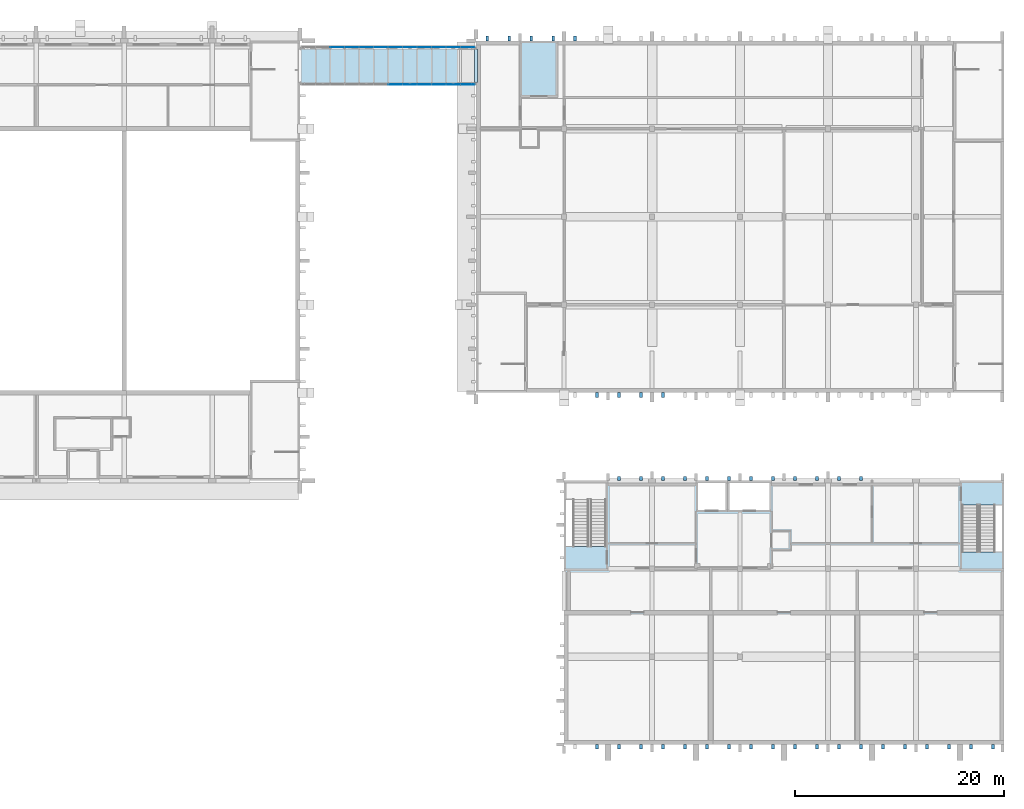
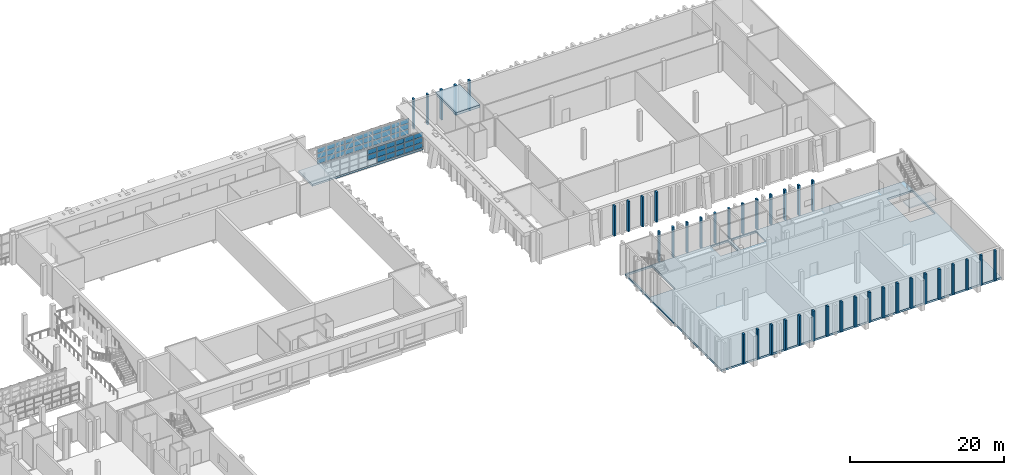
# One storey, part 36 of 86: 88 plates, 4 slabs, 3 elements without a shape of their own.
"""IFC4 building model written with IfcOpenShell, lengths in metres."""

from ifc_helpers import new_model, si_unit, direction, frame, origin, origin_2d, place, context, subcontext, project, spatial, polyline, rectangle, outline, extrude, material, layer, layer_set, type_object, element, aggregate, save


model = new_model("IFC4")

# Units and contexts
model_context = context("Model", 3, precision=1e-05, world=origin(), true_north=direction((0.0, 1.0)))
body_context = subcontext(model_context, "Body", "Model", "MODEL_VIEW")
ifc_project = project(units=[si_unit("LENGTHUNIT", "METRE"), si_unit("AREAUNIT", "SQUARE_METRE"), si_unit("VOLUMEUNIT", "CUBIC_METRE"), si_unit("PLANEANGLEUNIT", "RADIAN"), si_unit("MASSUNIT", "GRAM", prefix="KILO")], contexts=[model_context])

# Site, building, storey
site_placement = place(None, origin())
site = spatial("IfcSite", under=ifc_project, at=site_placement, CompositionType="ELEMENT")
building_placement = place(site_placement, origin())
building = spatial("IfcBuilding", under=site, at=building_placement, Name="Kiln Court Media Centre", CompositionType="ELEMENT")
storey_placement = place(building_placement, frame((0.0, 0.0, 10.199951171875)))
storey = spatial("IfcBuildingStorey", under=building, at=storey_placement, Name="L02", CompositionType="ELEMENT", Elevation=10.199951171875)

# Slabs
ifc_material_1 = material(Name="Concrete C30/37", Category="concrete")
ifc_layer_1 = layer(ifc_material_1, 0.300048828125)
ifc_layer_set_1 = layer_set([ifc_layer_1], Name="Concrete C30/37 bridge deck slab 300")
slab_type_1 = type_object("IfcSlabType", Name="Concrete C30/37 bridge deck slab 300", PredefinedType="FLOOR", material=ifc_layer_set_1)
slab_1_placement = place(storey_placement, frame((0.0, 0.0, -0.300048828125)))
element("IfcSlab", 1, at=slab_1_placement, inside=storey, type_object=slab_type_1, Name="bridge BR-4 deck bridge deck slab", PredefinedType="FLOOR", context=body_context, shape_type="SweptSolid", body=[
    extrude(outline(polyline([(100.89990234375, 63.0), (117.5, 63.0), (117.5, 66.60009765625), (100.89990234375, 66.60009765625), (100.89990234375, 63.0)])), origin(), (0.0, 0.0, 1.0), 0.300048828125),
])
ifc_material_2 = material(Name="Concrete C30/37", Category="concrete")
ifc_layer_2 = layer(ifc_material_2, 0.300048828125)
ifc_layer_set_2 = layer_set([ifc_layer_2], Name="Concrete C30/37 floor slab 300")
slab_type_2 = type_object("IfcSlabType", Name="Concrete C30/37 floor slab 300", PredefinedType="FLOOR", material=ifc_layer_set_2)
slab_2_placement = place(storey_placement, frame((0.0, 0.0, -0.300048828125)))
element("IfcSlab", 2, at=slab_2_placement, inside=storey, type_object=slab_type_2, Name="L02-SL-1007", PredefinedType="FLOOR", context=body_context, shape_type="SweptSolid", body=[
    extrude(outline(polyline([(126.0, 0.0), (126.0, 25.199951171875), (168.0, 25.199951171875), (168.0, 0.0), (126.0, 0.0)]), holes=[polyline([(164.0, 16.800048828125), (167.800048828125, 16.800048828125), (167.800048828125, 22.860107421875), (164.0, 22.860107421875), (164.0, 16.800048828125)]), polyline([(126.199951171875, 18.93994140625), (130.0, 18.93994140625), (130.0, 25.0), (126.199951171875, 25.0), (126.199951171875, 18.93994140625)]), polyline([(138.800048828125, 22.39990234375), (141.39990234375, 22.39990234375), (141.39990234375, 25.0), (138.800048828125, 25.0), (138.800048828125, 22.39990234375)]), polyline([(141.800048828125, 22.39990234375), (145.60009765625, 22.39990234375), (145.60009765625, 25.0), (141.800048828125, 25.0), (141.800048828125, 22.39990234375)])]), origin(), (0.0, 0.0, 1.0), 0.300048828125),
])
ifc_material_3 = material(Name="Concrete C30/37", Category="concrete")
ifc_layer_3 = layer(ifc_material_3, 0.39990234375)
ifc_layer_set_3 = layer_set([ifc_layer_3], Name="Concrete C30/37 roof slab 400")
slab_type_3 = type_object("IfcSlabType", Name="Concrete C30/37 roof slab 400", PredefinedType="ROOF", material=ifc_layer_set_3)
slab_3_placement = place(storey_placement, frame((0.0, 0.0, 4.400146484375)))
element("IfcSlab", 3, at=slab_3_placement, inside=storey, type_object=slab_type_3, Name="L02-SL-1016", PredefinedType="ROOF", context=body_context, shape_type="SweptSolid", body=[
    extrude(outline(polyline([(121.800048828125, 61.800048828125), (121.800048828125, 67.199951171875), (125.39990234375, 67.199951171875), (125.39990234375, 61.800048828125), (121.800048828125, 61.800048828125)])), origin(), (0.0, 0.0, 1.0), 0.39990234375),
])

# Plates
ifc_material_4 = material(Name="Concrete C40/50", Category="concrete")
ifc_layer_4 = layer(ifc_material_4, 0.25)
ifc_layer_set_4 = layer_set([ifc_layer_4], Name="Concrete C40/50 shading fin 250")
plate_type_1 = type_object("IfcPlateType", Name="Concrete C40/50 shading fin 250", PredefinedType="SHEET", material=ifc_layer_set_4)
for number, where, z_axis, x_axis, name in (
    (4, (129.14990234375, 33.375, 0.0), (0.0, 0.0, 1.0), (1.0, 0.0, 0.0), "V2 S fin L02"),
    (5, (131.25, 33.375, 0.0), (0.0, 0.0, 1.0), (1.0, 0.0, 0.0), "V2 S fin L02"),
    (6, (133.35009765625, 33.375, 0.0), (0.0, 0.0, 1.0), (1.0, 0.0, 0.0), "V2 S fin L02"),
    (7, (135.449951171875, 33.375, 0.0), (0.0, 0.0, 1.0), (1.0, 0.0, 0.0), "V2 S fin L02"),
    (8, (118.64990234375, 67.425048828125, 0.0), (0.0, 0.0, 1.0), (1.0, 0.0, 0.0), "V2 N fin L02"),
    (9, (120.75, 67.425048828125, 0.0), (0.0, 0.0, 1.0), (1.0, 0.0, 0.0), "V2 N fin L02"),
    (10, (122.85009765625, 67.425048828125, 0.0), (0.0, 0.0, 1.0), (1.0, 0.0, 0.0), "V2 N fin L02"),
    (11, (124.949951171875, 67.425048828125, 0.0), (0.0, 0.0, 1.0), (1.0, 0.0, 0.0), "V2 N fin L02"),
    (12, (127.050048828125, 67.425048828125, 0.0), (0.0, 0.0, 1.0), (1.0, 0.0, 0.0), "V2 N fin L02"),
):
    element("IfcPlate", number, at=place(storey_placement, frame(where, z_axis=z_axis, x_axis=x_axis)), inside=storey, type_object=plate_type_1, Name=name, PredefinedType="SHEET", context=body_context, shape_type="SweptSolid", body=[
        extrude(rectangle(XDim=0.25, YDim=0.449951171875, at=origin_2d()), origin(), (0.0, 0.0, 1.0), 4.800048828125),
    ])
for number, where, z_axis, x_axis, name in (
    (13, (129.14990234375, -0.199951171875, 0.0), (0.0, 0.0, 1.0), (1.0, 0.0, 0.0), "V5 S fin L02"),
    (14, (131.25, -0.199951171875, 0.0), (0.0, 0.0, 1.0), (1.0, 0.0, 0.0), "V5 S fin L02"),
    (15, (133.35009765625, -0.199951171875, 0.0), (0.0, 0.0, 1.0), (1.0, 0.0, 0.0), "V5 S fin L02"),
    (16, (135.449951171875, -0.199951171875, 0.0), (0.0, 0.0, 1.0), (1.0, 0.0, 0.0), "V5 S fin L02"),
    (17, (137.550048828125, -0.199951171875, 0.0), (0.0, 0.0, 1.0), (1.0, 0.0, 0.0), "V5 S fin L02"),
    (18, (139.64990234375, -0.199951171875, 0.0), (0.0, 0.0, 1.0), (1.0, 0.0, 0.0), "V5 S fin L02"),
    (19, (141.75, -0.199951171875, 0.0), (0.0, 0.0, 1.0), (1.0, 0.0, 0.0), "V5 S fin L02"),
    (20, (143.85009765625, -0.199951171875, 0.0), (0.0, 0.0, 1.0), (1.0, 0.0, 0.0), "V5 S fin L02"),
    (21, (145.949951171875, -0.199951171875, 0.0), (0.0, 0.0, 1.0), (1.0, 0.0, 0.0), "V5 S fin L02"),
    (22, (148.050048828125, -0.199951171875, 0.0), (0.0, 0.0, 1.0), (1.0, 0.0, 0.0), "V5 S fin L02"),
    (23, (150.14990234375, -0.199951171875, 0.0), (0.0, 0.0, 1.0), (1.0, 0.0, 0.0), "V5 S fin L02"),
    (24, (152.25, -0.199951171875, 0.0), (0.0, 0.0, 1.0), (1.0, 0.0, 0.0), "V5 S fin L02"),
    (25, (154.35009765625, -0.199951171875, 0.0), (0.0, 0.0, 1.0), (1.0, 0.0, 0.0), "V5 S fin L02"),
    (26, (156.449951171875, -0.199951171875, 0.0), (0.0, 0.0, 1.0), (1.0, 0.0, 0.0), "V5 S fin L02"),
    (27, (158.550048828125, -0.199951171875, 0.0), (0.0, 0.0, 1.0), (1.0, 0.0, 0.0), "V5 S fin L02"),
    (28, (160.64990234375, -0.199951171875, 0.0), (0.0, 0.0, 1.0), (1.0, 0.0, 0.0), "V5 S fin L02"),
    (29, (162.75, -0.199951171875, 0.0), (0.0, 0.0, 1.0), (1.0, 0.0, 0.0), "V5 S fin L02"),
    (30, (164.85009765625, -0.199951171875, 0.0), (0.0, 0.0, 1.0), (1.0, 0.0, 0.0), "V5 S fin L02"),
    (31, (166.949951171875, -0.199951171875, 0.0), (0.0, 0.0, 1.0), (1.0, 0.0, 0.0), "V5 S fin L02"),
    (32, (131.25, 25.39990234375, 0.0), (0.0, 0.0, 1.0), (1.0, 0.0, 0.0), "V5 N fin L02"),
    (33, (133.35009765625, 25.39990234375, 0.0), (0.0, 0.0, 1.0), (1.0, 0.0, 0.0), "V5 N fin L02"),
    (34, (135.449951171875, 25.39990234375, 0.0), (0.0, 0.0, 1.0), (1.0, 0.0, 0.0), "V5 N fin L02"),
    (35, (137.550048828125, 25.39990234375, 0.0), (0.0, 0.0, 1.0), (1.0, 0.0, 0.0), "V5 N fin L02"),
    (36, (139.64990234375, 25.39990234375, 0.0), (0.0, 0.0, 1.0), (1.0, 0.0, 0.0), "V5 N fin L02"),
    (37, (141.75, 25.39990234375, 0.0), (0.0, 0.0, 1.0), (1.0, 0.0, 0.0), "V5 N fin L02"),
    (38, (143.85009765625, 25.39990234375, 0.0), (0.0, 0.0, 1.0), (1.0, 0.0, 0.0), "V5 N fin L02"),
    (39, (145.949951171875, 25.39990234375, 0.0), (0.0, 0.0, 1.0), (1.0, 0.0, 0.0), "V5 N fin L02"),
    (40, (148.050048828125, 25.39990234375, 0.0), (0.0, 0.0, 1.0), (1.0, 0.0, 0.0), "V5 N fin L02"),
    (41, (150.14990234375, 25.39990234375, 0.0), (0.0, 0.0, 1.0), (1.0, 0.0, 0.0), "V5 N fin L02"),
    (42, (152.25, 25.39990234375, 0.0), (0.0, 0.0, 1.0), (1.0, 0.0, 0.0), "V5 N fin L02"),
    (43, (154.35009765625, 25.39990234375, 0.0), (0.0, 0.0, 1.0), (1.0, 0.0, 0.0), "V5 N fin L02"),
):
    element("IfcPlate", number, at=place(storey_placement, frame(where, z_axis=z_axis, x_axis=x_axis)), inside=storey, type_object=plate_type_1, Name=name, PredefinedType="SHEET", context=body_context, shape_type="SweptSolid", body=[
        extrude(rectangle(XDim=0.25, YDim=0.39990234375, at=origin_2d()), origin(), (0.0, 0.0, 1.0), 4.800048828125),
    ])

# Stair, slab
ifc_material_5 = material(Name="Concrete C40/50", Category="concrete")
stair_type = type_object("IfcStairType", Name="Concrete C40/50 dog-leg stair 1500 wide, 150 riser", PredefinedType="HALF_TURN_STAIR", material=ifc_material_5)
stair_placement = place(storey_placement, origin())
stair = element("IfcStair", 44, at=stair_placement, inside=storey, type_object=stair_type, Name="ST-17 L02", PredefinedType="HALF_TURN_STAIR")
ifc_material_6 = material(Name="Concrete C40/50", Category="concrete")
ifc_layer_5 = layer(ifc_material_6, 0.199951171875)
ifc_layer_set_5 = layer_set([ifc_layer_5], Name="Concrete C40/50 stair landing 200")
slab_type_4 = type_object("IfcSlabType", Name="Concrete C40/50 stair landing 200", PredefinedType="LANDING", material=ifc_layer_set_5)
slab_4_placement = place(storey_placement, frame((0.0, 0.0, 2.199951171875)))
slab_4 = element("IfcSlab", 45, at=slab_4_placement, type_object=slab_type_4, Name="L02-ST-5009 landing 5009", PredefinedType="LANDING", context=body_context, shape_type="SweptSolid", body=[
    extrude(outline(polyline([(163.8798828125, 18.39990234375), (163.8798828125, 16.679931640625), (167.919921875, 16.679931640625), (167.919921875, 18.39990234375), (163.8798828125, 18.39990234375)])), origin(), (0.0, 0.0, 1.0), 0.2001953125),
])
aggregate(stair, [slab_4])

# Curtain wall, plates
ifc_material_7 = material(Name="Aluminium 6063-T6", Category="aluminium")
ifc_layer_6 = layer(ifc_material_7, 0.1201171875)
ifc_layer_set_6 = layer_set([ifc_layer_6], Name="Aluminium unitised curtain wall, bridge")
curtain_wall_type = type_object("IfcCurtainWallType", Name="Aluminium unitised curtain wall, bridge", PredefinedType="USERDEFINED", material=ifc_layer_set_6)
curtain_wall_1_placement = place(storey_placement, origin())
curtain_wall_1 = element("IfcCurtainWall", 46, at=curtain_wall_1_placement, inside=storey, type_object=curtain_wall_type, Name="BR-4 side glazing", ObjectType="UNITISED CURTAIN WALL", PredefinedType="USERDEFINED")
ifc_material_8 = material(Name="Aluminium insulated spandrel", Category="aluminium")
ifc_layer_7 = layer(ifc_material_8, 0.028076171875)
ifc_layer_set_7 = layer_set([ifc_layer_7], Name="Insulated aluminium spandrel panel 28")
plate_type_2 = type_object("IfcPlateType", Name="Insulated aluminium spandrel panel 28", PredefinedType="CURTAIN_PANEL", material=ifc_layer_set_7)
plate_1_placement = place(storey_placement, frame((109.8916015625, 63.014892578125, 0.94189453125), z_axis=(0.0, 0.0, 1.0), x_axis=(1.0, 0.0, 0.0)))
plate_1 = element("IfcPlate", 47, at=plate_1_placement, type_object=plate_type_2, Name="CW2-65 panel 7.2", PredefinedType="CURTAIN_PANEL", context=body_context, shape_type="SweptSolid", body=[
    extrude(rectangle(XDim=1.333251953125, YDim=0.028076171875, at=origin_2d()), origin(), (0.0, 0.0, 1.0), 0.79150390625),
])
plate_2_placement = place(storey_placement, frame((109.8916015625, 63.014892578125, 1.833251953125), z_axis=(0.0, 0.0, 1.0), x_axis=(1.0, 0.0, 0.0)))
plate_2 = element("IfcPlate", 48, at=plate_2_placement, type_object=plate_type_2, Name="CW2-65 panel 7.3", PredefinedType="CURTAIN_PANEL", context=body_context, shape_type="SweptSolid", body=[
    extrude(rectangle(XDim=1.333251953125, YDim=0.028076171875, at=origin_2d()), origin(), (0.0, 0.0, 1.0), 0.74169921875),
])
plate_3_placement = place(storey_placement, frame((111.27490234375, 63.014892578125, 0.10009765625), z_axis=(0.0, 0.0, 1.0), x_axis=(1.0, 0.0, 0.0)))
plate_3 = element("IfcPlate", 49, at=plate_3_placement, type_object=plate_type_2, Name="CW2-65 panel 8.1", PredefinedType="CURTAIN_PANEL", context=body_context, shape_type="SweptSolid", body=[
    extrude(rectangle(XDim=1.333251953125, YDim=0.028076171875, at=origin_2d()), origin(), (0.0, 0.0, 1.0), 0.74169921875),
])
plate_4_placement = place(storey_placement, frame((111.27490234375, 63.014892578125, 1.833251953125), z_axis=(0.0, 0.0, 1.0), x_axis=(1.0, 0.0, 0.0)))
plate_4 = element("IfcPlate", 50, at=plate_4_placement, type_object=plate_type_2, Name="CW2-65 panel 8.3", PredefinedType="CURTAIN_PANEL", context=body_context, shape_type="SweptSolid", body=[
    extrude(rectangle(XDim=1.333251953125, YDim=0.028076171875, at=origin_2d()), origin(), (0.0, 0.0, 1.0), 0.74169921875),
])
plate_5_placement = place(storey_placement, frame((112.658447265625, 63.014892578125, 0.10009765625), z_axis=(0.0, 0.0, 1.0), x_axis=(1.0, 0.0, 0.0)))
plate_5 = element("IfcPlate", 51, at=plate_5_placement, type_object=plate_type_2, Name="CW2-65 panel 9.1", PredefinedType="CURTAIN_PANEL", context=body_context, shape_type="SweptSolid", body=[
    extrude(rectangle(XDim=1.333251953125, YDim=0.028076171875, at=origin_2d()), origin(), (0.0, 0.0, 1.0), 0.74169921875),
])
plate_6_placement = place(storey_placement, frame((112.658447265625, 63.014892578125, 0.94189453125), z_axis=(0.0, 0.0, 1.0), x_axis=(1.0, 0.0, 0.0)))
plate_6 = element("IfcPlate", 52, at=plate_6_placement, type_object=plate_type_2, Name="CW2-65 panel 9.2", PredefinedType="CURTAIN_PANEL", context=body_context, shape_type="SweptSolid", body=[
    extrude(rectangle(XDim=1.333251953125, YDim=0.028076171875, at=origin_2d()), origin(), (0.0, 0.0, 1.0), 0.79150390625),
])
plate_7_placement = place(storey_placement, frame((114.041748046875, 63.014892578125, 0.10009765625), z_axis=(0.0, 0.0, 1.0), x_axis=(1.0, 0.0, 0.0)))
plate_7 = element("IfcPlate", 53, at=plate_7_placement, type_object=plate_type_2, Name="CW2-65 panel 10.1", PredefinedType="CURTAIN_PANEL", context=body_context, shape_type="SweptSolid", body=[
    extrude(rectangle(XDim=1.333251953125, YDim=0.028076171875, at=origin_2d()), origin(), (0.0, 0.0, 1.0), 0.74169921875),
])
plate_8_placement = place(storey_placement, frame((114.041748046875, 63.014892578125, 0.94189453125), z_axis=(0.0, 0.0, 1.0), x_axis=(1.0, 0.0, 0.0)))
plate_8 = element("IfcPlate", 54, at=plate_8_placement, type_object=plate_type_2, Name="CW2-65 panel 10.2", PredefinedType="CURTAIN_PANEL", context=body_context, shape_type="SweptSolid", body=[
    extrude(rectangle(XDim=1.333251953125, YDim=0.028076171875, at=origin_2d()), origin(), (0.0, 0.0, 1.0), 0.79150390625),
])
plate_9_placement = place(storey_placement, frame((114.041748046875, 63.014892578125, 1.833251953125), z_axis=(0.0, 0.0, 1.0), x_axis=(1.0, 0.0, 0.0)))
plate_9 = element("IfcPlate", 55, at=plate_9_placement, type_object=plate_type_2, Name="CW2-65 panel 10.3", PredefinedType="CURTAIN_PANEL", context=body_context, shape_type="SweptSolid", body=[
    extrude(rectangle(XDim=1.333251953125, YDim=0.028076171875, at=origin_2d()), origin(), (0.0, 0.0, 1.0), 0.74169921875),
])
plate_10_placement = place(storey_placement, frame((115.425048828125, 63.014892578125, 0.10009765625), z_axis=(0.0, 0.0, 1.0), x_axis=(1.0, 0.0, 0.0)))
plate_10 = element("IfcPlate", 56, at=plate_10_placement, type_object=plate_type_2, Name="CW2-65 panel 11.1", PredefinedType="CURTAIN_PANEL", context=body_context, shape_type="SweptSolid", body=[
    extrude(rectangle(XDim=1.333251953125, YDim=0.028076171875, at=origin_2d()), origin(), (0.0, 0.0, 1.0), 0.74169921875),
])
plate_11_placement = place(storey_placement, frame((115.425048828125, 63.014892578125, 1.833251953125), z_axis=(0.0, 0.0, 1.0), x_axis=(1.0, 0.0, 0.0)))
plate_11 = element("IfcPlate", 57, at=plate_11_placement, type_object=plate_type_2, Name="CW2-65 panel 11.3", PredefinedType="CURTAIN_PANEL", context=body_context, shape_type="SweptSolid", body=[
    extrude(rectangle(XDim=1.333251953125, YDim=0.028076171875, at=origin_2d()), origin(), (0.0, 0.0, 1.0), 0.74169921875),
])
plate_12_placement = place(storey_placement, frame((116.7958984375, 63.014892578125, 0.10009765625), z_axis=(0.0, 0.0, 1.0), x_axis=(1.0, 0.0, 0.0)))
plate_12 = element("IfcPlate", 58, at=plate_12_placement, type_object=plate_type_2, Name="CW2-65 panel 12.1", PredefinedType="CURTAIN_PANEL", context=body_context, shape_type="SweptSolid", body=[
    extrude(rectangle(XDim=1.308349609375, YDim=0.028076171875, at=origin_2d()), origin(), (0.0, 0.0, 1.0), 0.74169921875),
])
plate_13_placement = place(storey_placement, frame((116.7958984375, 63.014892578125, 0.94189453125), z_axis=(0.0, 0.0, 1.0), x_axis=(1.0, 0.0, 0.0)))
plate_13 = element("IfcPlate", 59, at=plate_13_placement, type_object=plate_type_2, Name="CW2-65 panel 12.2", PredefinedType="CURTAIN_PANEL", context=body_context, shape_type="SweptSolid", body=[
    extrude(rectangle(XDim=1.308349609375, YDim=0.028076171875, at=origin_2d()), origin(), (0.0, 0.0, 1.0), 0.79150390625),
])

curtain_wall_2_placement = place(storey_placement, origin())
curtain_wall_2 = element("IfcCurtainWall", 60, at=curtain_wall_2_placement, inside=storey, type_object=curtain_wall_type, Name="BR-4 side glazing", ObjectType="UNITISED CURTAIN WALL", PredefinedType="USERDEFINED")
plate_14_placement = place(storey_placement, frame((104.3583984375, 66.5849609375, 0.10009765625), z_axis=(0.0, 0.0, 1.0), x_axis=(1.0, 0.0, 0.0)))
plate_14 = element("IfcPlate", 61, at=plate_14_placement, type_object=plate_type_2, Name="CW2-66 panel 3.1", PredefinedType="CURTAIN_PANEL", context=body_context, shape_type="SweptSolid", body=[
    extrude(rectangle(XDim=1.333251953125, YDim=0.028076171875, at=origin_2d()), origin(), (0.0, 0.0, 1.0), 0.74169921875),
])
plate_15_placement = place(storey_placement, frame((104.3583984375, 66.5849609375, 0.94189453125), z_axis=(0.0, 0.0, 1.0), x_axis=(1.0, 0.0, 0.0)))
plate_15 = element("IfcPlate", 62, at=plate_15_placement, type_object=plate_type_2, Name="CW2-66 panel 3.2", PredefinedType="CURTAIN_PANEL", context=body_context, shape_type="SweptSolid", body=[
    extrude(rectangle(XDim=1.333251953125, YDim=0.028076171875, at=origin_2d()), origin(), (0.0, 0.0, 1.0), 0.79150390625),
])
plate_16_placement = place(storey_placement, frame((104.3583984375, 66.5849609375, 1.833251953125), z_axis=(0.0, 0.0, 1.0), x_axis=(1.0, 0.0, 0.0)))
plate_16 = element("IfcPlate", 63, at=plate_16_placement, type_object=plate_type_2, Name="CW2-66 panel 3.3", PredefinedType="CURTAIN_PANEL", context=body_context, shape_type="SweptSolid", body=[
    extrude(rectangle(XDim=1.333251953125, YDim=0.028076171875, at=origin_2d()), origin(), (0.0, 0.0, 1.0), 0.74169921875),
])
plate_17_placement = place(storey_placement, frame((105.74169921875, 66.5849609375, 0.10009765625), z_axis=(0.0, 0.0, 1.0), x_axis=(1.0, 0.0, 0.0)))
plate_17 = element("IfcPlate", 64, at=plate_17_placement, type_object=plate_type_2, Name="CW2-66 panel 4.1", PredefinedType="CURTAIN_PANEL", context=body_context, shape_type="SweptSolid", body=[
    extrude(rectangle(XDim=1.333251953125, YDim=0.028076171875, at=origin_2d()), origin(), (0.0, 0.0, 1.0), 0.74169921875),
])
plate_18_placement = place(storey_placement, frame((105.74169921875, 66.5849609375, 0.94189453125), z_axis=(0.0, 0.0, 1.0), x_axis=(1.0, 0.0, 0.0)))
plate_18 = element("IfcPlate", 65, at=plate_18_placement, type_object=plate_type_2, Name="CW2-66 panel 4.2", PredefinedType="CURTAIN_PANEL", context=body_context, shape_type="SweptSolid", body=[
    extrude(rectangle(XDim=1.333251953125, YDim=0.028076171875, at=origin_2d()), origin(), (0.0, 0.0, 1.0), 0.79150390625),
])
plate_19_placement = place(storey_placement, frame((107.125, 66.5849609375, 0.10009765625), z_axis=(0.0, 0.0, 1.0), x_axis=(1.0, 0.0, 0.0)))
plate_19 = element("IfcPlate", 66, at=plate_19_placement, type_object=plate_type_2, Name="CW2-66 panel 5.1", PredefinedType="CURTAIN_PANEL", context=body_context, shape_type="SweptSolid", body=[
    extrude(rectangle(XDim=1.333251953125, YDim=0.028076171875, at=origin_2d()), origin(), (0.0, 0.0, 1.0), 0.74169921875),
])
plate_20_placement = place(storey_placement, frame((107.125, 66.5849609375, 1.833251953125), z_axis=(0.0, 0.0, 1.0), x_axis=(1.0, 0.0, 0.0)))
plate_20 = element("IfcPlate", 67, at=plate_20_placement, type_object=plate_type_2, Name="CW2-66 panel 5.3", PredefinedType="CURTAIN_PANEL", context=body_context, shape_type="SweptSolid", body=[
    extrude(rectangle(XDim=1.333251953125, YDim=0.028076171875, at=origin_2d()), origin(), (0.0, 0.0, 1.0), 0.74169921875),
])
plate_21_placement = place(storey_placement, frame((108.50830078125, 66.5849609375, 0.10009765625), z_axis=(0.0, 0.0, 1.0), x_axis=(1.0, 0.0, 0.0)))
plate_21 = element("IfcPlate", 68, at=plate_21_placement, type_object=plate_type_2, Name="CW2-66 panel 6.1", PredefinedType="CURTAIN_PANEL", context=body_context, shape_type="SweptSolid", body=[
    extrude(rectangle(XDim=1.333251953125, YDim=0.028076171875, at=origin_2d()), origin(), (0.0, 0.0, 1.0), 0.74169921875),
])
plate_22_placement = place(storey_placement, frame((108.50830078125, 66.5849609375, 0.94189453125), z_axis=(0.0, 0.0, 1.0), x_axis=(1.0, 0.0, 0.0)))
plate_22 = element("IfcPlate", 69, at=plate_22_placement, type_object=plate_type_2, Name="CW2-66 panel 6.2", PredefinedType="CURTAIN_PANEL", context=body_context, shape_type="SweptSolid", body=[
    extrude(rectangle(XDim=1.333251953125, YDim=0.028076171875, at=origin_2d()), origin(), (0.0, 0.0, 1.0), 0.79150390625),
])
plate_23_placement = place(storey_placement, frame((108.50830078125, 66.5849609375, 1.833251953125), z_axis=(0.0, 0.0, 1.0), x_axis=(1.0, 0.0, 0.0)))
plate_23 = element("IfcPlate", 70, at=plate_23_placement, type_object=plate_type_2, Name="CW2-66 panel 6.3", PredefinedType="CURTAIN_PANEL", context=body_context, shape_type="SweptSolid", body=[
    extrude(rectangle(XDim=1.333251953125, YDim=0.028076171875, at=origin_2d()), origin(), (0.0, 0.0, 1.0), 0.74169921875),
])
plate_24_placement = place(storey_placement, frame((109.8916015625, 66.5849609375, 0.10009765625), z_axis=(0.0, 0.0, 1.0), x_axis=(1.0, 0.0, 0.0)))
plate_24 = element("IfcPlate", 71, at=plate_24_placement, type_object=plate_type_2, Name="CW2-66 panel 7.1", PredefinedType="CURTAIN_PANEL", context=body_context, shape_type="SweptSolid", body=[
    extrude(rectangle(XDim=1.333251953125, YDim=0.028076171875, at=origin_2d()), origin(), (0.0, 0.0, 1.0), 0.74169921875),
])
plate_25_placement = place(storey_placement, frame((109.8916015625, 66.5849609375, 0.94189453125), z_axis=(0.0, 0.0, 1.0), x_axis=(1.0, 0.0, 0.0)))
plate_25 = element("IfcPlate", 72, at=plate_25_placement, type_object=plate_type_2, Name="CW2-66 panel 7.2", PredefinedType="CURTAIN_PANEL", context=body_context, shape_type="SweptSolid", body=[
    extrude(rectangle(XDim=1.333251953125, YDim=0.028076171875, at=origin_2d()), origin(), (0.0, 0.0, 1.0), 0.79150390625),
])
plate_26_placement = place(storey_placement, frame((109.8916015625, 66.5849609375, 1.833251953125), z_axis=(0.0, 0.0, 1.0), x_axis=(1.0, 0.0, 0.0)))
plate_26 = element("IfcPlate", 73, at=plate_26_placement, type_object=plate_type_2, Name="CW2-66 panel 7.3", PredefinedType="CURTAIN_PANEL", context=body_context, shape_type="SweptSolid", body=[
    extrude(rectangle(XDim=1.333251953125, YDim=0.028076171875, at=origin_2d()), origin(), (0.0, 0.0, 1.0), 0.74169921875),
])
plate_27_placement = place(storey_placement, frame((111.27490234375, 66.5849609375, 0.10009765625), z_axis=(0.0, 0.0, 1.0), x_axis=(1.0, 0.0, 0.0)))
plate_27 = element("IfcPlate", 74, at=plate_27_placement, type_object=plate_type_2, Name="CW2-66 panel 8.1", PredefinedType="CURTAIN_PANEL", context=body_context, shape_type="SweptSolid", body=[
    extrude(rectangle(XDim=1.333251953125, YDim=0.028076171875, at=origin_2d()), origin(), (0.0, 0.0, 1.0), 0.74169921875),
])
plate_28_placement = place(storey_placement, frame((111.27490234375, 66.5849609375, 1.833251953125), z_axis=(0.0, 0.0, 1.0), x_axis=(1.0, 0.0, 0.0)))
plate_28 = element("IfcPlate", 75, at=plate_28_placement, type_object=plate_type_2, Name="CW2-66 panel 8.3", PredefinedType="CURTAIN_PANEL", context=body_context, shape_type="SweptSolid", body=[
    extrude(rectangle(XDim=1.333251953125, YDim=0.028076171875, at=origin_2d()), origin(), (0.0, 0.0, 1.0), 0.74169921875),
])
plate_29_placement = place(storey_placement, frame((112.658447265625, 66.5849609375, 0.10009765625), z_axis=(0.0, 0.0, 1.0), x_axis=(1.0, 0.0, 0.0)))
plate_29 = element("IfcPlate", 76, at=plate_29_placement, type_object=plate_type_2, Name="CW2-66 panel 9.1", PredefinedType="CURTAIN_PANEL", context=body_context, shape_type="SweptSolid", body=[
    extrude(rectangle(XDim=1.333251953125, YDim=0.028076171875, at=origin_2d()), origin(), (0.0, 0.0, 1.0), 0.74169921875),
])
plate_30_placement = place(storey_placement, frame((112.658447265625, 66.5849609375, 0.94189453125), z_axis=(0.0, 0.0, 1.0), x_axis=(1.0, 0.0, 0.0)))
plate_30 = element("IfcPlate", 77, at=plate_30_placement, type_object=plate_type_2, Name="CW2-66 panel 9.2", PredefinedType="CURTAIN_PANEL", context=body_context, shape_type="SweptSolid", body=[
    extrude(rectangle(XDim=1.333251953125, YDim=0.028076171875, at=origin_2d()), origin(), (0.0, 0.0, 1.0), 0.79150390625),
])
plate_31_placement = place(storey_placement, frame((114.041748046875, 66.5849609375, 0.10009765625), z_axis=(0.0, 0.0, 1.0), x_axis=(1.0, 0.0, 0.0)))
plate_31 = element("IfcPlate", 78, at=plate_31_placement, type_object=plate_type_2, Name="CW2-66 panel 10.1", PredefinedType="CURTAIN_PANEL", context=body_context, shape_type="SweptSolid", body=[
    extrude(rectangle(XDim=1.333251953125, YDim=0.028076171875, at=origin_2d()), origin(), (0.0, 0.0, 1.0), 0.74169921875),
])
plate_32_placement = place(storey_placement, frame((114.041748046875, 66.5849609375, 0.94189453125), z_axis=(0.0, 0.0, 1.0), x_axis=(1.0, 0.0, 0.0)))
plate_32 = element("IfcPlate", 79, at=plate_32_placement, type_object=plate_type_2, Name="CW2-66 panel 10.2", PredefinedType="CURTAIN_PANEL", context=body_context, shape_type="SweptSolid", body=[
    extrude(rectangle(XDim=1.333251953125, YDim=0.028076171875, at=origin_2d()), origin(), (0.0, 0.0, 1.0), 0.79150390625),
])
plate_33_placement = place(storey_placement, frame((114.041748046875, 66.5849609375, 1.833251953125), z_axis=(0.0, 0.0, 1.0), x_axis=(1.0, 0.0, 0.0)))
plate_33 = element("IfcPlate", 80, at=plate_33_placement, type_object=plate_type_2, Name="CW2-66 panel 10.3", PredefinedType="CURTAIN_PANEL", context=body_context, shape_type="SweptSolid", body=[
    extrude(rectangle(XDim=1.333251953125, YDim=0.028076171875, at=origin_2d()), origin(), (0.0, 0.0, 1.0), 0.74169921875),
])
plate_34_placement = place(storey_placement, frame((115.425048828125, 66.5849609375, 0.10009765625), z_axis=(0.0, 0.0, 1.0), x_axis=(1.0, 0.0, 0.0)))
plate_34 = element("IfcPlate", 81, at=plate_34_placement, type_object=plate_type_2, Name="CW2-66 panel 11.1", PredefinedType="CURTAIN_PANEL", context=body_context, shape_type="SweptSolid", body=[
    extrude(rectangle(XDim=1.333251953125, YDim=0.028076171875, at=origin_2d()), origin(), (0.0, 0.0, 1.0), 0.74169921875),
])
plate_35_placement = place(storey_placement, frame((115.425048828125, 66.5849609375, 1.833251953125), z_axis=(0.0, 0.0, 1.0), x_axis=(1.0, 0.0, 0.0)))
plate_35 = element("IfcPlate", 82, at=plate_35_placement, type_object=plate_type_2, Name="CW2-66 panel 11.3", PredefinedType="CURTAIN_PANEL", context=body_context, shape_type="SweptSolid", body=[
    extrude(rectangle(XDim=1.333251953125, YDim=0.028076171875, at=origin_2d()), origin(), (0.0, 0.0, 1.0), 0.74169921875),
])
plate_36_placement = place(storey_placement, frame((116.7958984375, 66.5849609375, 0.10009765625), z_axis=(0.0, 0.0, 1.0), x_axis=(1.0, 0.0, 0.0)))
plate_36 = element("IfcPlate", 83, at=plate_36_placement, type_object=plate_type_2, Name="CW2-66 panel 12.1", PredefinedType="CURTAIN_PANEL", context=body_context, shape_type="SweptSolid", body=[
    extrude(rectangle(XDim=1.308349609375, YDim=0.028076171875, at=origin_2d()), origin(), (0.0, 0.0, 1.0), 0.74169921875),
])
plate_37_placement = place(storey_placement, frame((116.7958984375, 66.5849609375, 0.94189453125), z_axis=(0.0, 0.0, 1.0), x_axis=(1.0, 0.0, 0.0)))
plate_37 = element("IfcPlate", 84, at=plate_37_placement, type_object=plate_type_2, Name="CW2-66 panel 12.2", PredefinedType="CURTAIN_PANEL", context=body_context, shape_type="SweptSolid", body=[
    extrude(rectangle(XDim=1.308349609375, YDim=0.028076171875, at=origin_2d()), origin(), (0.0, 0.0, 1.0), 0.79150390625),
])

# Plate
ifc_material_9 = material(Name="Laminated low-E glazing", Category="glass")
ifc_layer_8 = layer(ifc_material_9, 0.028076171875)
ifc_layer_set_8 = layer_set([ifc_layer_8], Name="Laminated low-E glazed panel 28")
plate_type_3 = type_object("IfcPlateType", Name="Laminated low-E glazed panel 28", PredefinedType="CURTAIN_PANEL", material=ifc_layer_set_8)
plate_38_placement = place(storey_placement, frame((111.27490234375, 63.014892578125, 0.94189453125), z_axis=(0.0, 0.0, 1.0), x_axis=(1.0, 0.0, 0.0)))
plate_38 = element("IfcPlate", 85, at=plate_38_placement, type_object=plate_type_3, Name="CW2-65 panel 8.2", PredefinedType="CURTAIN_PANEL", context=body_context, shape_type="SweptSolid", body=[
    extrude(rectangle(XDim=1.333251953125, YDim=0.028076171875, at=origin_2d()), origin(), (0.0, 0.0, 1.0), 0.79150390625),
])

plate_39_placement = place(storey_placement, frame((112.658447265625, 63.014892578125, 1.833251953125), z_axis=(0.0, 0.0, 1.0), x_axis=(1.0, 0.0, 0.0)))
plate_39 = element("IfcPlate", 86, at=plate_39_placement, type_object=plate_type_3, Name="CW2-65 panel 9.3", PredefinedType="CURTAIN_PANEL", context=body_context, shape_type="SweptSolid", body=[
    extrude(rectangle(XDim=1.333251953125, YDim=0.028076171875, at=origin_2d()), origin(), (0.0, 0.0, 1.0), 0.74169921875),
])

plate_40_placement = place(storey_placement, frame((115.425048828125, 63.014892578125, 0.94189453125), z_axis=(0.0, 0.0, 1.0), x_axis=(1.0, 0.0, 0.0)))
plate_40 = element("IfcPlate", 87, at=plate_40_placement, type_object=plate_type_3, Name="CW2-65 panel 11.2", PredefinedType="CURTAIN_PANEL", context=body_context, shape_type="SweptSolid", body=[
    extrude(rectangle(XDim=1.333251953125, YDim=0.028076171875, at=origin_2d()), origin(), (0.0, 0.0, 1.0), 0.79150390625),
])

plate_41_placement = place(storey_placement, frame((116.7958984375, 63.014892578125, 1.833251953125), z_axis=(0.0, 0.0, 1.0), x_axis=(1.0, 0.0, 0.0)))
plate_41 = element("IfcPlate", 88, at=plate_41_placement, type_object=plate_type_3, Name="CW2-65 panel 12.3", PredefinedType="CURTAIN_PANEL", context=body_context, shape_type="SweptSolid", body=[
    extrude(rectangle(XDim=1.308349609375, YDim=0.028076171875, at=origin_2d()), origin(), (0.0, 0.0, 1.0), 0.74169921875),
])

aggregate(curtain_wall_1, [plate_1, plate_2, plate_3, plate_38, plate_4, plate_5, plate_6, plate_39, plate_7, plate_8, plate_9, plate_10, plate_40, plate_11, plate_12, plate_13, plate_41])

plate_42_placement = place(storey_placement, frame((105.74169921875, 66.5849609375, 1.833251953125), z_axis=(0.0, 0.0, 1.0), x_axis=(1.0, 0.0, 0.0)))
plate_42 = element("IfcPlate", 89, at=plate_42_placement, type_object=plate_type_3, Name="CW2-66 panel 4.3", PredefinedType="CURTAIN_PANEL", context=body_context, shape_type="SweptSolid", body=[
    extrude(rectangle(XDim=1.333251953125, YDim=0.028076171875, at=origin_2d()), origin(), (0.0, 0.0, 1.0), 0.74169921875),
])

plate_43_placement = place(storey_placement, frame((107.125, 66.5849609375, 0.94189453125), z_axis=(0.0, 0.0, 1.0), x_axis=(1.0, 0.0, 0.0)))
plate_43 = element("IfcPlate", 90, at=plate_43_placement, type_object=plate_type_3, Name="CW2-66 panel 5.2", PredefinedType="CURTAIN_PANEL", context=body_context, shape_type="SweptSolid", body=[
    extrude(rectangle(XDim=1.333251953125, YDim=0.028076171875, at=origin_2d()), origin(), (0.0, 0.0, 1.0), 0.79150390625),
])

plate_44_placement = place(storey_placement, frame((111.27490234375, 66.5849609375, 0.94189453125), z_axis=(0.0, 0.0, 1.0), x_axis=(1.0, 0.0, 0.0)))
plate_44 = element("IfcPlate", 91, at=plate_44_placement, type_object=plate_type_3, Name="CW2-66 panel 8.2", PredefinedType="CURTAIN_PANEL", context=body_context, shape_type="SweptSolid", body=[
    extrude(rectangle(XDim=1.333251953125, YDim=0.028076171875, at=origin_2d()), origin(), (0.0, 0.0, 1.0), 0.79150390625),
])

plate_45_placement = place(storey_placement, frame((112.658447265625, 66.5849609375, 1.833251953125), z_axis=(0.0, 0.0, 1.0), x_axis=(1.0, 0.0, 0.0)))
plate_45 = element("IfcPlate", 92, at=plate_45_placement, type_object=plate_type_3, Name="CW2-66 panel 9.3", PredefinedType="CURTAIN_PANEL", context=body_context, shape_type="SweptSolid", body=[
    extrude(rectangle(XDim=1.333251953125, YDim=0.028076171875, at=origin_2d()), origin(), (0.0, 0.0, 1.0), 0.74169921875),
])

plate_46_placement = place(storey_placement, frame((115.425048828125, 66.5849609375, 0.94189453125), z_axis=(0.0, 0.0, 1.0), x_axis=(1.0, 0.0, 0.0)))
plate_46 = element("IfcPlate", 93, at=plate_46_placement, type_object=plate_type_3, Name="CW2-66 panel 11.2", PredefinedType="CURTAIN_PANEL", context=body_context, shape_type="SweptSolid", body=[
    extrude(rectangle(XDim=1.333251953125, YDim=0.028076171875, at=origin_2d()), origin(), (0.0, 0.0, 1.0), 0.79150390625),
])

plate_47_placement = place(storey_placement, frame((116.7958984375, 66.5849609375, 1.833251953125), z_axis=(0.0, 0.0, 1.0), x_axis=(1.0, 0.0, 0.0)))
plate_47 = element("IfcPlate", 94, at=plate_47_placement, type_object=plate_type_3, Name="CW2-66 panel 12.3", PredefinedType="CURTAIN_PANEL", context=body_context, shape_type="SweptSolid", body=[
    extrude(rectangle(XDim=1.308349609375, YDim=0.028076171875, at=origin_2d()), origin(), (0.0, 0.0, 1.0), 0.74169921875),
])

aggregate(curtain_wall_2, [plate_14, plate_15, plate_16, plate_17, plate_18, plate_42, plate_19, plate_43, plate_20, plate_21, plate_22, plate_23, plate_24, plate_25, plate_26, plate_27, plate_44, plate_28, plate_29, plate_30, plate_45, plate_31, plate_32, plate_33, plate_34, plate_46, plate_35, plate_36, plate_37, plate_47])

ifc_material_10 = material(Name="Steel ASTM A572 Gr 50", Category="steel")
ifc_layer_9 = layer(ifc_material_10, 0.010009765625)
ifc_layer_set_9 = layer_set([ifc_layer_9], Name="Steel ASTM A572 Gr 50 300x3200x10 movement joint cover plate")
plate_type_4 = type_object("IfcPlateType", Name="Steel ASTM A572 Gr 50 300x3200x10 movement joint cover plate", PredefinedType="USERDEFINED", material=ifc_layer_set_9)
plate_48_placement = place(storey_placement, frame((117.60009765625, 64.800048828125, -0.001953125), z_axis=(0.0, 0.0, 1.0), x_axis=(1.0, 0.0, 0.0)))
element("IfcPlate", 95, at=plate_48_placement, inside=storey, type_object=plate_type_4, Name="bridge BR-4 joint 2 movement joint cover plate", ObjectType="MOVEMENT JOINT COVER PLATE", PredefinedType="USERDEFINED", context=body_context, shape_type="SweptSolid", body=[
    extrude(rectangle(XDim=0.300048828125, YDim=3.199951171875, at=origin_2d()), origin(), (0.0, 0.0, 1.0), 0.010009765625),
])

save(model, "model.ifc")
